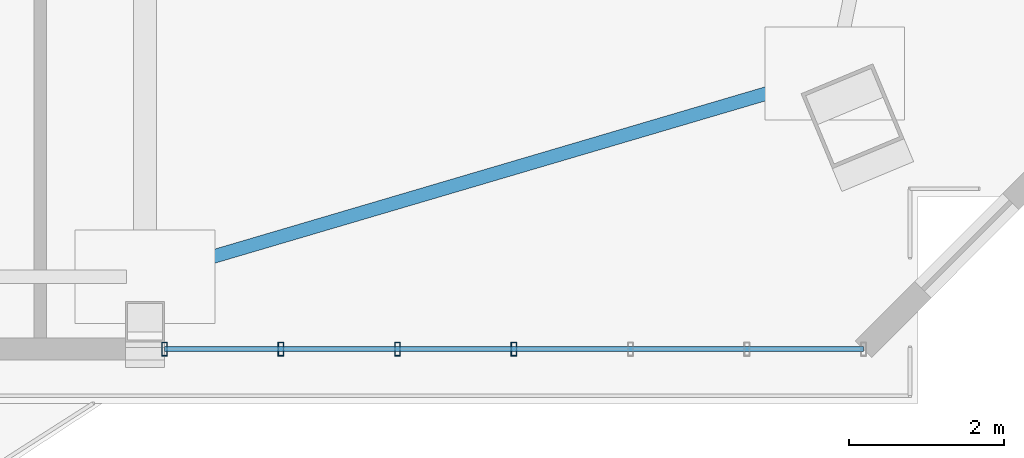
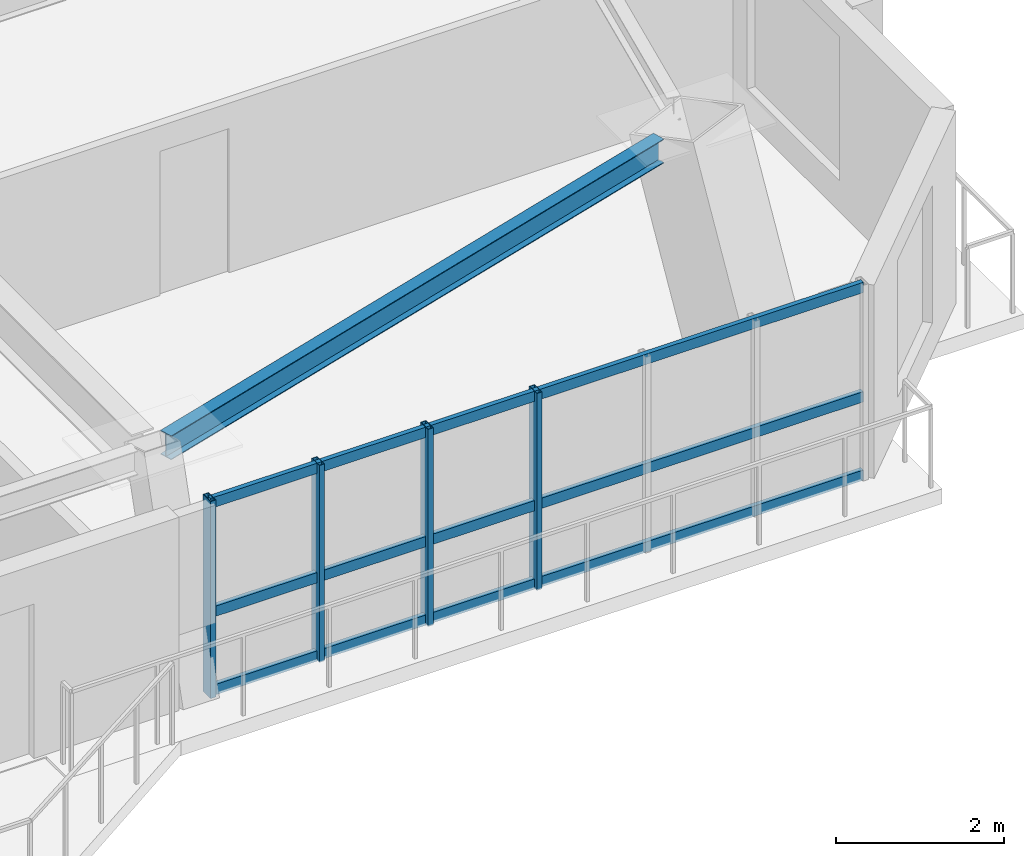
# One storey, part 4 of 18: 7 members, 1 beam, 1 element without a shape of its own.
"""IFC4 building model written with IfcOpenShell, lengths in metres."""

from ifc_helpers import new_model, si_unit, direction, frame, origin, origin_2d, place, context, subcontext, project, spatial, hollow_rectangle, i_section, extrude, source, transform, mapped, material, layer, layer_set, material_profile, profile_set, type_object, element, aggregate, save


model = new_model("IFC4")

# Units and contexts
model_context = context("Model", 3, precision=1e-05, world=origin(), true_north=direction((0.0, 1.0)))
body_context = subcontext(model_context, "Body", "Model", "MODEL_VIEW")
ifc_project = project(units=[si_unit("LENGTHUNIT", "METRE"), si_unit("AREAUNIT", "SQUARE_METRE"), si_unit("VOLUMEUNIT", "CUBIC_METRE"), si_unit("PLANEANGLEUNIT", "RADIAN"), si_unit("MASSUNIT", "GRAM", prefix="KILO")], contexts=[model_context])

# Site, building, storey
site_placement = place(None, origin())
site = spatial("IfcSite", under=ifc_project, at=site_placement, CompositionType="ELEMENT")
building_placement = place(site_placement, origin())
building = spatial("IfcBuilding", under=site, at=building_placement, Name="Giltprow Tower", CompositionType="ELEMENT")
storey_placement = place(building_placement, frame((0.0, 0.0, 245.10009765625)))
storey = spatial("IfcBuildingStorey", under=building, at=storey_placement, Name="L62", CompositionType="ELEMENT", Elevation=245.10009765625)

# Beam
ifc_material_1 = material(Name="Structural steel Q355B", Category="steel")
ifc_material_profile_1 = material_profile(ifc_material_1, i_section(OverallWidth=0.175048828125, OverallDepth=0.35009765625, WebThickness=0.007080078125, FlangeThickness=0.010986328125, at=origin_2d()), Name="HN 350x175x7x11")
ifc_profile_set_1 = profile_set([ifc_material_profile_1], Name="Structural steel Q355B")
beam_type = type_object("IfcBeamType", Name="BM-SPAN-HN350", PredefinedType="SPANDREL", material=ifc_profile_set_1)
shared_shape_1 = source(origin(), body_context, "Body", "SweptSolid", [
    extrude(i_section(OverallWidth=0.175048828125, OverallDepth=0.35009765625, WebThickness=0.007080078125, FlangeThickness=0.010986328125, at=origin_2d()), origin(), (0.0, 0.0, 1.0), 8.5302734375),
])
beam_placement = place(storey_placement, frame((50.77490234375, 15.178955078125, 3.010009765625), z_axis=(0.959187572442, 0.282770579929, 0.0), x_axis=(-0.282770579929, 0.959187572442, 0.0)))
element("IfcBeam", 1, at=beam_placement, inside=storey, type_object=beam_type, Name="L62 Perimeter Spandrel Beam S4-MC_SE", PredefinedType="SPANDREL", context=body_context, shape_type="MappedRepresentation", body=[
    mapped(shared_shape_1, transform((0.0, 0.0, 0.0), x_axis=(1.0, 0.0, 0.0), y_axis=(0.0, 1.0, 0.0), z_axis=(0.0, 0.0, 1.0), scale=1.0)),
])

# Curtain wall, members
ifc_material_2 = material(Name="Anodized bronze", Category="metal")
ifc_layer = layer(ifc_material_2, 0.179931640625, Name="Anodized bronze")
ifc_layer_set = layer_set([ifc_layer], Name="Anodized bronze")
curtain_wall_type = type_object("IfcCurtainWallType", Name="CW-RES-SKY", PredefinedType="NOTDEFINED", material=ifc_layer_set)
curtain_wall_placement = place(storey_placement, origin())
curtain_wall = element("IfcCurtainWall", 2, at=curtain_wall_placement, inside=storey, type_object=curtain_wall_type, Name="L62 South Recessed Curtain Wall 6", PredefinedType="NOTDEFINED")
ifc_material_profile_2 = material_profile(ifc_material_2, hollow_rectangle(XDim=0.06494140625, YDim=0.14990234375, WallThickness=0.006103515625, at=origin_2d()), Name="RHS 150x65x6")
ifc_profile_set_2 = profile_set([ifc_material_profile_2], Name="Anodized bronze")
member_type_1 = type_object("IfcMemberType", Name="CW-TRANSOM-150x65", PredefinedType="USERDEFINED", material=ifc_profile_set_2)
shared_shape_2 = source(origin(), body_context, "Body", "SweptSolid", [
    extrude(hollow_rectangle(XDim=0.06494140625, YDim=0.14990234375, WallThickness=0.006103515625, at=origin_2d()), origin(), (0.0, 0.0, 1.0), 8.990966796875),
])
member_1_placement = place(storey_placement, frame((50.800048828125, 14.181884765625, 0.039794921875), z_axis=(1.0, 0.0, 0.0), x_axis=(0.0, 1.0, 0.0)))
member_1 = element("IfcMember", 3, at=member_1_placement, type_object=member_type_1, Name="L62 South Recessed Curtain Wall 6 Transom 1", ObjectType="TRANSOM", PredefinedType="USERDEFINED", context=body_context, shape_type="MappedRepresentation", body=[
    mapped(shared_shape_2, transform((0.0, 0.0, 0.0), x_axis=(1.0, 0.0, 0.0), y_axis=(0.0, 1.0, 0.0), z_axis=(0.0, 0.0, 1.0), scale=1.0)),
])
member_2_placement = place(storey_placement, frame((50.800048828125, 14.181884765625, 1.181884765625), z_axis=(1.0, 0.0, 0.0), x_axis=(0.0, 1.0, 0.0)))
member_2 = element("IfcMember", 4, at=member_2_placement, type_object=member_type_1, Name="L62 South Recessed Curtain Wall 6 Transom 2", ObjectType="TRANSOM", PredefinedType="USERDEFINED", context=body_context, shape_type="MappedRepresentation", body=[
    mapped(shared_shape_2, transform((0.0, 0.0, 0.0), x_axis=(1.0, 0.0, 0.0), y_axis=(0.0, 1.0, 0.0), z_axis=(0.0, 0.0, 1.0), scale=1.0)),
])
member_3_placement = place(storey_placement, frame((50.800048828125, 14.181884765625, 2.77490234375), z_axis=(1.0, 0.0, 0.0), x_axis=(0.0, 1.0, 0.0)))
member_3 = element("IfcMember", 5, at=member_3_placement, type_object=member_type_1, Name="L62 South Recessed Curtain Wall 6 Transom 3", ObjectType="TRANSOM", PredefinedType="USERDEFINED", context=body_context, shape_type="MappedRepresentation", body=[
    mapped(shared_shape_2, transform((0.0, 0.0, 0.0), x_axis=(1.0, 0.0, 0.0), y_axis=(0.0, 1.0, 0.0), z_axis=(0.0, 0.0, 1.0), scale=1.0)),
])
ifc_material_profile_3 = material_profile(ifc_material_2, hollow_rectangle(XDim=0.074951171875, YDim=0.179931640625, WallThickness=0.008056640625, at=origin_2d()), Name="RHS 180x75x8")
ifc_profile_set_3 = profile_set([ifc_material_profile_3], Name="Anodized bronze")
member_type_2 = type_object("IfcMemberType", Name="CW-MULLION-180x75", PredefinedType="MULLION", material=ifc_profile_set_3)
shared_shape_3 = source(origin(), body_context, "Body", "SweptSolid", [
    extrude(hollow_rectangle(XDim=0.074951171875, YDim=0.179931640625, WallThickness=0.008056640625, at=origin_2d()), origin(), (0.0, 0.0, 1.0), 2.869873046875),
])
member_4_placement = place(storey_placement, frame((50.800048828125, 14.181884765625, -0.02001953125), z_axis=(0.0, 0.0, 1.0), x_axis=(1.0, 0.0, 0.0)))
member_4 = element("IfcMember", 6, at=member_4_placement, type_object=member_type_2, Name="L62 South Recessed Curtain Wall 6 Mullion 1", PredefinedType="MULLION", context=body_context, shape_type="MappedRepresentation", body=[
    mapped(shared_shape_3, transform((0.0, 0.0, 0.0), x_axis=(1.0, 0.0, 0.0), y_axis=(0.0, 1.0, 0.0), z_axis=(0.0, 0.0, 1.0), scale=1.0)),
])
member_5_placement = place(storey_placement, frame((52.298095703125, 14.181884765625, -0.02001953125), z_axis=(0.0, 0.0, 1.0), x_axis=(1.0, 0.0, 0.0)))
member_5 = element("IfcMember", 7, at=member_5_placement, type_object=member_type_2, Name="L62 South Recessed Curtain Wall 6 Mullion 2", PredefinedType="MULLION", context=body_context, shape_type="MappedRepresentation", body=[
    mapped(shared_shape_3, transform((0.0, 0.0, 0.0), x_axis=(1.0, 0.0, 0.0), y_axis=(0.0, 1.0, 0.0), z_axis=(0.0, 0.0, 1.0), scale=1.0)),
])
member_6_placement = place(storey_placement, frame((53.797119140625, 14.181884765625, -0.02001953125), z_axis=(0.0, 0.0, 1.0), x_axis=(1.0, 0.0, 0.0)))
member_6 = element("IfcMember", 8, at=member_6_placement, type_object=member_type_2, Name="L62 South Recessed Curtain Wall 6 Mullion 3", PredefinedType="MULLION", context=body_context, shape_type="MappedRepresentation", body=[
    mapped(shared_shape_3, transform((0.0, 0.0, 0.0), x_axis=(1.0, 0.0, 0.0), y_axis=(0.0, 1.0, 0.0), z_axis=(0.0, 0.0, 1.0), scale=1.0)),
])
member_7_placement = place(storey_placement, frame((55.294921875, 14.181884765625, -0.02001953125), z_axis=(0.0, 0.0, 1.0), x_axis=(1.0, 0.0, 0.0)))
member_7 = element("IfcMember", 9, at=member_7_placement, type_object=member_type_2, Name="L62 South Recessed Curtain Wall 6 Mullion 4", PredefinedType="MULLION", context=body_context, shape_type="MappedRepresentation", body=[
    mapped(shared_shape_3, transform((0.0, 0.0, 0.0), x_axis=(1.0, 0.0, 0.0), y_axis=(0.0, 1.0, 0.0), z_axis=(0.0, 0.0, 1.0), scale=1.0)),
])
aggregate(curtain_wall, [member_4, member_5, member_6, member_7, member_1, member_2, member_3])

save(model, "model.ifc")
